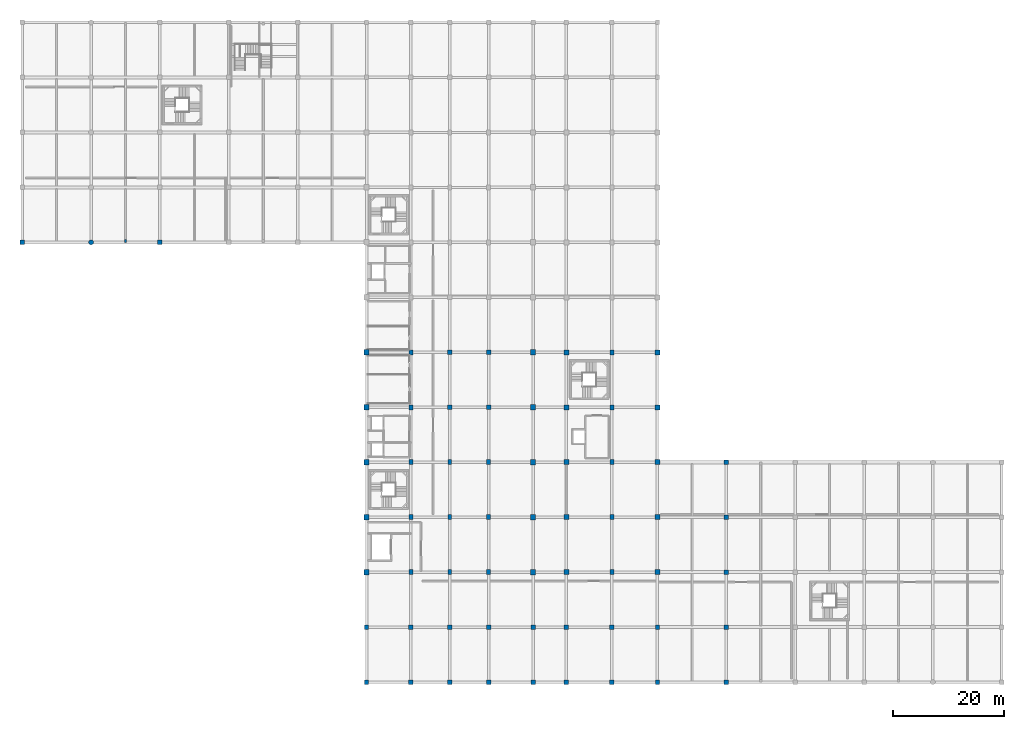
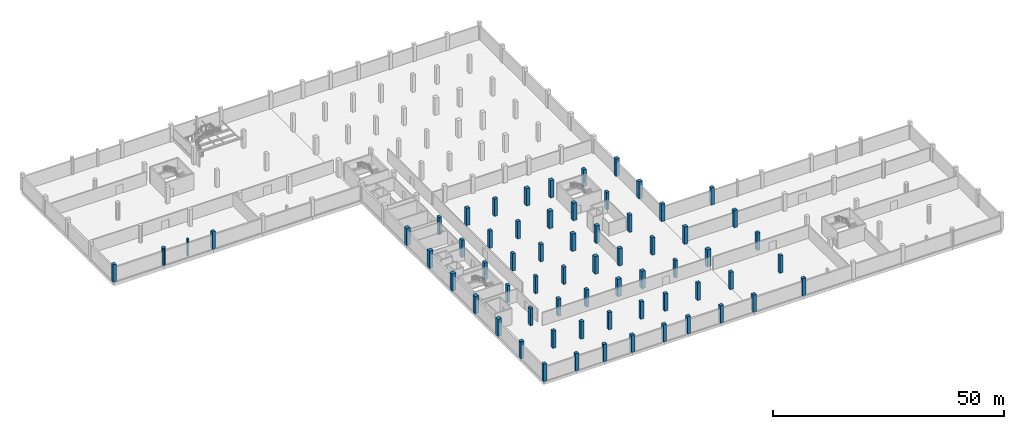
# One storey, part 1 of 32: 65 columns.
"""IFC4 building model written with IfcOpenShell, lengths in metres."""

from ifc_helpers import new_model, si_unit, direction, frame, origin, origin_2d, place, context, subcontext, project, spatial, rectangle, circle, extrude, material, material_profile, profile_set, type_object, element, save


model = new_model("IFC4")

# Units and contexts
model_context = context("Model", 3, precision=1e-05, world=origin(), true_north=direction((0.0, 1.0)))
body_context = subcontext(model_context, "Body", "Model", "MODEL_VIEW")
ifc_project = project(units=[si_unit("LENGTHUNIT", "METRE"), si_unit("AREAUNIT", "SQUARE_METRE"), si_unit("VOLUMEUNIT", "CUBIC_METRE"), si_unit("PLANEANGLEUNIT", "RADIAN"), si_unit("MASSUNIT", "GRAM", prefix="KILO")], contexts=[model_context])

# Site, building, storey
site_placement = place(None, origin())
site = spatial("IfcSite", under=ifc_project, at=site_placement, CompositionType="ELEMENT")
building_placement = place(site_placement, origin())
building = spatial("IfcBuilding", under=site, at=building_placement, Name="Sillaruma Civic Art Gallery", CompositionType="ELEMENT")
storey_placement = place(building_placement, frame((0.0, 0.0, -4.590087890625)))
storey = spatial("IfcBuildingStorey", under=building, at=storey_placement, Name="B01", CompositionType="ELEMENT", Elevation=-4.590087890625)

# Columns
ifc_material = material(Name="Concrete H40 (40 MPa)", Category="concrete")
ifc_material_profile_1 = material_profile(ifc_material, rectangle(XDim=0.800048828125, YDim=0.800048828125, at=origin_2d()), Name="RC800x800")
ifc_profile_set_1 = profile_set([ifc_material_profile_1], Name="Concrete H40 (40 MPa)")
column_type_1 = type_object("IfcColumnType", Name="COL-COLUMN-RC800x800", PredefinedType="COLUMN", material=ifc_profile_set_1)
for number, where, z_axis, x_axis, name in (
    (1, (0.0, 79.199951171875, 0.0), (0.0, 0.0, 1.0), (1.0, 0.0, 0.0), "Column C-04 (B01:A9)"),
    (2, (24.800048828125, 79.199951171875, 0.0), (0.0, 0.0, 1.0), (1.0, 0.0, 0.0), "Column C-04 (B01:C9)"),
    (3, (62.0, 0.0, 0.0), (0.0, 0.0, 1.0), (1.0, 0.0, 0.0), "Column C-04 (B01:F1)"),
    (4, (62.0, 9.89990234375, 0.0), (0.0, 0.0, 1.0), (1.0, 0.0, 0.0), "Column C-04 (B01:F2)"),
    (5, (70.0, 0.0, 0.0), (0.0, 0.0, 1.0), (1.0, 0.0, 0.0), "Column C-04 (B01:G1)"),
    (6, (70.0, 9.89990234375, 0.0), (0.0, 0.0, 1.0), (1.0, 0.0, 0.0), "Column C-04 (B01:G2)"),
    (7, (77.0, 0.0, 0.0), (0.0, 0.0, 1.0), (1.0, 0.0, 0.0), "Column C-04 (B01:H1)"),
    (8, (77.0, 9.89990234375, 0.0), (0.0, 0.0, 1.0), (1.0, 0.0, 0.0), "Column C-04 (B01:H2)"),
    (9, (77.0, 49.5, 0.0), (0.0, 0.0, 1.0), (1.0, 0.0, 0.0), "Column C-04 (B01:H6)"),
    (10, (77.0, 59.39990234375, 0.0), (0.0, 0.0, 1.0), (1.0, 0.0, 0.0), "Column C-04 (B01:H7)"),
    (11, (84.0, 0.0, 0.0), (0.0, 0.0, 1.0), (1.0, 0.0, 0.0), "Column C-04 (B01:J1)"),
    (12, (84.0, 9.89990234375, 0.0), (0.0, 0.0, 1.0), (1.0, 0.0, 0.0), "Column C-04 (B01:J2)"),
    (13, (84.0, 49.5, 0.0), (0.0, 0.0, 1.0), (1.0, 0.0, 0.0), "Column C-04 (B01:J6)"),
    (14, (84.0, 59.39990234375, 0.0), (0.0, 0.0, 1.0), (1.0, 0.0, 0.0), "Column C-04 (B01:J7)"),
    (15, (92.0, 0.0, 0.0), (0.0, 0.0, 1.0), (1.0, 0.0, 0.0), "Column C-04 (B01:K1)"),
    (16, (92.0, 9.89990234375, 0.0), (0.0, 0.0, 1.0), (1.0, 0.0, 0.0), "Column C-04 (B01:K2)"),
    (17, (98.0, 0.0, 0.0), (0.0, 0.0, 1.0), (1.0, 0.0, 0.0), "Column C-04 (B01:L1)"),
    (18, (98.0, 9.89990234375, 0.0), (0.0, 0.0, 1.0), (1.0, 0.0, 0.0), "Column C-04 (B01:L2)"),
    (19, (106.199951171875, 0.0, 0.0), (0.0, 0.0, 1.0), (1.0, 0.0, 0.0), "Column C-04 (B01:M1)"),
    (20, (106.199951171875, 9.89990234375, 0.0), (0.0, 0.0, 1.0), (1.0, 0.0, 0.0), "Column C-04 (B01:M2)"),
    (21, (114.39990234375, 0.0, 0.0), (0.0, 0.0, 1.0), (1.0, 0.0, 0.0), "Column C-04 (B01:N1)"),
    (22, (114.39990234375, 9.89990234375, 0.0), (0.0, 0.0, 1.0), (1.0, 0.0, 0.0), "Column C-04 (B01:N2)"),
    (23, (126.800048828125, 0.0, 0.0), (0.0, 0.0, 1.0), (1.0, 0.0, 0.0), "Column C-04 (B01:P1)"),
    (24, (126.800048828125, 9.89990234375, 0.0), (0.0, 0.0, 1.0), (1.0, 0.0, 0.0), "Column C-04 (B01:P2)"),
    (25, (126.800048828125, 19.800048828125, 0.0), (0.0, 0.0, 1.0), (1.0, 0.0, 0.0), "Column C-04 (B01:P3)"),
    (26, (126.800048828125, 29.699951171875, 0.0), (0.0, 0.0, 1.0), (1.0, 0.0, 0.0), "Column C-04 (B01:P4)"),
    (27, (126.800048828125, 39.60009765625, 0.0), (0.0, 0.0, 1.0), (1.0, 0.0, 0.0), "Column C-04 (B01:P5)"),
):
    element("IfcColumn", number, at=place(storey_placement, frame(where, z_axis=z_axis, x_axis=x_axis)), inside=storey, type_object=column_type_1, Name=name, PredefinedType="COLUMN", context=body_context, shape_type="SweptSolid", body=[
        extrude(rectangle(XDim=0.800048828125, YDim=0.800048828125, at=origin_2d()), origin(), (0.0, 0.0, 1.0), 4.590087890625),
    ])
ifc_material_profile_2 = material_profile(ifc_material, rectangle(XDim=0.699951171875, YDim=0.89990234375, at=origin_2d()), Name="RC900x700")
ifc_profile_set_2 = profile_set([ifc_material_profile_2], Name="Concrete H40 (40 MPa)")
column_type_2 = type_object("IfcColumnType", Name="COL-COLUMN-RC900x700", PredefinedType="COLUMN", material=ifc_profile_set_2)
for number, where, z_axis, x_axis, name in (
    (28, (70.0, 19.800048828125, 0.0), (0.0, 0.0, 1.0), (1.0, 0.0, 0.0), "Column C-09 (B01:G3)"),
    (29, (70.0, 29.699951171875, 0.0), (0.0, 0.0, 1.0), (1.0, 0.0, 0.0), "Column C-09 (B01:G4)"),
    (30, (70.0, 39.60009765625, 0.0), (0.0, 0.0, 1.0), (1.0, 0.0, 0.0), "Column C-09 (B01:G5)"),
    (31, (70.0, 49.5, 0.0), (0.0, 0.0, 1.0), (1.0, 0.0, 0.0), "Column C-09 (B01:G6)"),
    (32, (70.0, 59.39990234375, 0.0), (0.0, 0.0, 1.0), (1.0, 0.0, 0.0), "Column C-09 (B01:G7)"),
    (33, (77.0, 19.800048828125, 0.0), (0.0, 0.0, 1.0), (1.0, 0.0, 0.0), "Column C-09 (B01:H3)"),
    (34, (77.0, 29.699951171875, 0.0), (0.0, 0.0, 1.0), (1.0, 0.0, 0.0), "Column C-09 (B01:H4)"),
    (35, (77.0, 39.60009765625, 0.0), (0.0, 0.0, 1.0), (1.0, 0.0, 0.0), "Column C-09 (B01:H5)"),
    (36, (84.0, 19.800048828125, 0.0), (0.0, 0.0, 1.0), (1.0, 0.0, 0.0), "Column C-09 (B01:J3)"),
    (37, (84.0, 29.699951171875, 0.0), (0.0, 0.0, 1.0), (1.0, 0.0, 0.0), "Column C-09 (B01:J4)"),
    (38, (84.0, 39.60009765625, 0.0), (0.0, 0.0, 1.0), (1.0, 0.0, 0.0), "Column C-09 (B01:J5)"),
    (39, (106.199951171875, 19.800048828125, 0.0), (0.0, 0.0, 1.0), (1.0, 0.0, 0.0), "Column C-09 (B01:M3)"),
    (40, (106.199951171875, 29.699951171875, 0.0), (0.0, 0.0, 1.0), (1.0, 0.0, 0.0), "Column C-09 (B01:M4)"),
    (41, (106.199951171875, 39.60009765625, 0.0), (0.0, 0.0, 1.0), (1.0, 0.0, 0.0), "Column C-09 (B01:M5)"),
    (42, (106.199951171875, 49.5, 0.0), (0.0, 0.0, 1.0), (1.0, 0.0, 0.0), "Column C-09 (B01:M6)"),
    (43, (106.199951171875, 59.39990234375, 0.0), (0.0, 0.0, 1.0), (1.0, 0.0, 0.0), "Column C-09 (B01:M7)"),
):
    element("IfcColumn", number, at=place(storey_placement, frame(where, z_axis=z_axis, x_axis=x_axis)), inside=storey, type_object=column_type_2, Name=name, PredefinedType="COLUMN", context=body_context, shape_type="SweptSolid", body=[
        extrude(rectangle(XDim=0.699951171875, YDim=0.89990234375, at=origin_2d()), origin(), (0.0, 0.0, 1.0), 4.590087890625),
    ])
ifc_material_profile_3 = material_profile(ifc_material, rectangle(XDim=0.89990234375, YDim=0.89990234375, at=origin_2d()), Name="RC900x900")
ifc_profile_set_3 = profile_set([ifc_material_profile_3], Name="Concrete H40 (40 MPa)")
column_type_3 = type_object("IfcColumnType", Name="COL-COLUMN-RC900x900", PredefinedType="COLUMN", material=ifc_profile_set_3)
for number, where, z_axis, x_axis, name in (
    (44, (98.0, 19.800048828125, 0.0), (0.0, 0.0, 1.0), (1.0, 0.0, 0.0), "Column C-02 (B01:L3)"),
    (45, (98.0, 29.699951171875, 0.0), (0.0, 0.0, 1.0), (1.0, 0.0, 0.0), "Column C-02 (B01:L4)"),
    (46, (98.0, 39.60009765625, 0.0), (0.0, 0.0, 1.0), (1.0, 0.0, 0.0), "Column C-02 (B01:L5)"),
    (47, (98.0, 49.5, 0.0), (0.0, 0.0, 1.0), (1.0, 0.0, 0.0), "Column C-02 (B01:L6)"),
    (48, (98.0, 59.39990234375, 0.0), (0.0, 0.0, 1.0), (1.0, 0.0, 0.0), "Column C-02 (B01:L7)"),
    (49, (114.39990234375, 19.800048828125, 0.0), (0.0, 0.0, 1.0), (1.0, 0.0, 0.0), "Column C-02 (B01:N3)"),
    (50, (114.39990234375, 29.699951171875, 0.0), (0.0, 0.0, 1.0), (1.0, 0.0, 0.0), "Column C-02 (B01:N4)"),
    (51, (114.39990234375, 39.60009765625, 0.0), (0.0, 0.0, 1.0), (1.0, 0.0, 0.0), "Column C-02 (B01:N5)"),
    (52, (114.39990234375, 49.5, 0.0), (0.0, 0.0, 1.0), (1.0, 0.0, 0.0), "Column C-02 (B01:N6)"),
    (53, (114.39990234375, 59.39990234375, 0.0), (0.0, 0.0, 1.0), (1.0, 0.0, 0.0), "Column C-02 (B01:N7)"),
):
    element("IfcColumn", number, at=place(storey_placement, frame(where, z_axis=z_axis, x_axis=x_axis)), inside=storey, type_object=column_type_3, Name=name, PredefinedType="COLUMN", context=body_context, shape_type="SweptSolid", body=[
        extrude(rectangle(XDim=0.89990234375, YDim=0.89990234375, at=origin_2d()), origin(), (0.0, 0.0, 1.0), 4.590087890625),
    ])
ifc_material_profile_4 = material_profile(ifc_material, rectangle(XDim=0.949951171875, YDim=0.949951171875, at=origin_2d()), Name="RC950x950")
ifc_profile_set_4 = profile_set([ifc_material_profile_4], Name="Concrete H40 (40 MPa)")
column_type_4 = type_object("IfcColumnType", Name="COL-COLUMN-RC950x950", PredefinedType="COLUMN", material=ifc_profile_set_4)
for number, where, z_axis, x_axis, name in (
    (54, (62.0, 19.800048828125, 0.0), (0.0, 0.0, 1.0), (1.0, 0.0, 0.0), "Column C-01 (B01:F3)"),
    (55, (62.0, 29.699951171875, 0.0), (0.0, 0.0, 1.0), (1.0, 0.0, 0.0), "Column C-01 (B01:F4)"),
    (56, (62.0, 39.60009765625, 0.0), (0.0, 0.0, 1.0), (1.0, 0.0, 0.0), "Column C-01 (B01:F5)"),
    (57, (62.0, 49.5, 0.0), (0.0, 0.0, 1.0), (1.0, 0.0, 0.0), "Column C-01 (B01:F6)"),
    (58, (62.0, 59.39990234375, 0.0), (0.0, 0.0, 1.0), (1.0, 0.0, 0.0), "Column C-01 (B01:F7)"),
    (59, (92.0, 19.800048828125, 0.0), (0.0, 0.0, 1.0), (1.0, 0.0, 0.0), "Column C-01 (B01:K3)"),
    (60, (92.0, 29.699951171875, 0.0), (0.0, 0.0, 1.0), (1.0, 0.0, 0.0), "Column C-01 (B01:K4)"),
    (61, (92.0, 39.60009765625, 0.0), (0.0, 0.0, 1.0), (1.0, 0.0, 0.0), "Column C-01 (B01:K5)"),
    (62, (92.0, 49.5, 0.0), (0.0, 0.0, 1.0), (1.0, 0.0, 0.0), "Column C-01 (B01:K6)"),
    (63, (92.0, 59.39990234375, 0.0), (0.0, 0.0, 1.0), (1.0, 0.0, 0.0), "Column C-01 (B01:K7)"),
):
    element("IfcColumn", number, at=place(storey_placement, frame(where, z_axis=z_axis, x_axis=x_axis)), inside=storey, type_object=column_type_4, Name=name, PredefinedType="COLUMN", context=body_context, shape_type="SweptSolid", body=[
        extrude(rectangle(XDim=0.949951171875, YDim=0.949951171875, at=origin_2d()), origin(), (0.0, 0.0, 1.0), 4.590087890625),
    ])
ifc_material_profile_5 = material_profile(ifc_material, circle(Radius=0.43994140625, at=origin_2d()), Name="RCC880")
ifc_profile_set_5 = profile_set([ifc_material_profile_5], Name="Concrete H40 (40 MPa)")
column_type_5 = type_object("IfcColumnType", Name="COL-COLUMN-RCC880", PredefinedType="COLUMN", material=ifc_profile_set_5)
column_1_placement = place(storey_placement, frame((12.39990234375, 79.199951171875, 0.0), z_axis=(0.0, 0.0, 1.0), x_axis=(1.0, 0.0, 0.0)))
element("IfcColumn", 64, at=column_1_placement, inside=storey, type_object=column_type_5, Name="Column CC-01 (B01:B9)", PredefinedType="COLUMN", context=body_context, shape_type="SweptSolid", body=[
    extrude(circle(Radius=0.43994140625, at=origin_2d()), origin(), (0.0, 0.0, 1.0), 4.590087890625),
])
ifc_material_profile_6 = material_profile(ifc_material, rectangle(XDim=0.3798828125, YDim=0.5, at=origin_2d()), Name="RC500x380")
ifc_profile_set_6 = profile_set([ifc_material_profile_6], Name="Concrete H40 (40 MPa)")
column_type_6 = type_object("IfcColumnType", Name="COL-PILASTER-RC500x380", PredefinedType="PILASTER", material=ifc_profile_set_6)
column_2_placement = place(storey_placement, frame((18.60009765625, 79.449951171875, 0.0), z_axis=(0.0, 0.0, 1.0), x_axis=(1.0, 0.0, 0.0)))
element("IfcColumn", 65, at=column_2_placement, inside=storey, type_object=column_type_6, Name="Pilaster CP-01 (B01:PIL-W1)", PredefinedType="PILASTER", context=body_context, shape_type="SweptSolid", body=[
    extrude(rectangle(XDim=0.3798828125, YDim=0.5, at=origin_2d()), origin(), (0.0, 0.0, 1.0), 4.590087890625),
])

save(model, "model.ifc")
